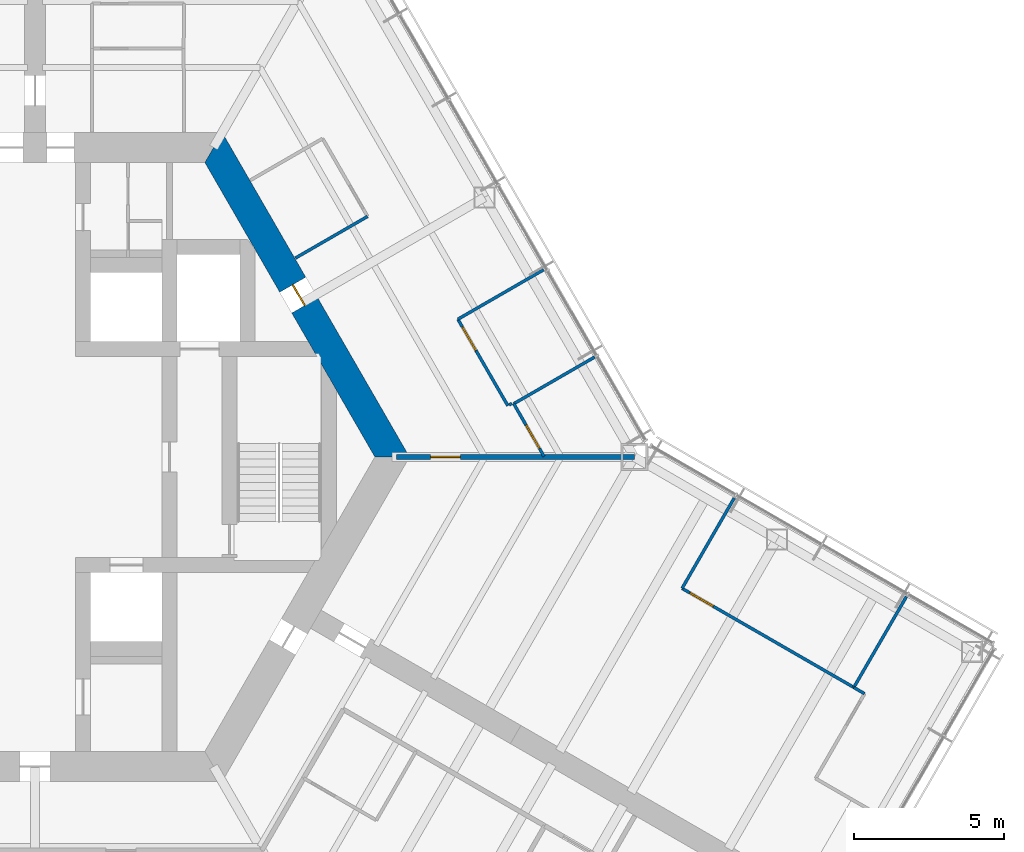
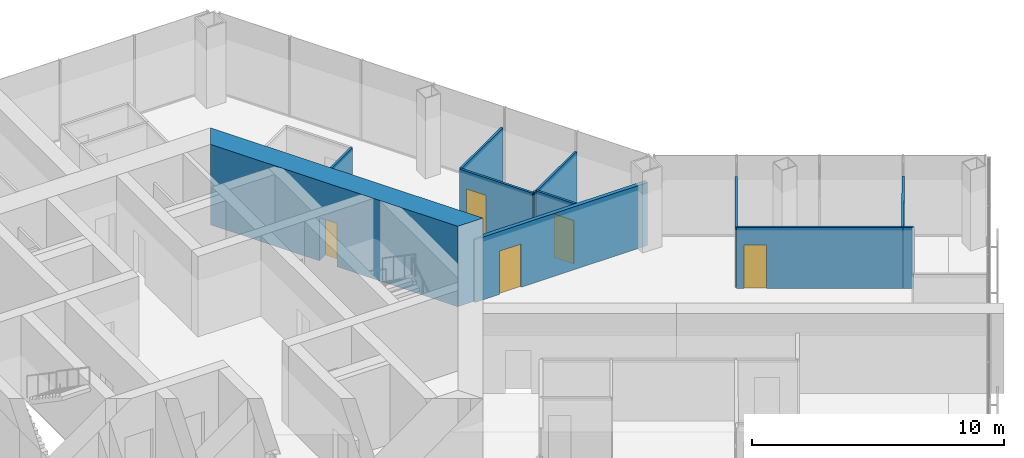
# One storey, part 14 of 18: 12 walls, 5 doors, 5 openings.
"""IFC4 building model written with IfcOpenShell, lengths in metres."""

from ifc_helpers import new_model, si_unit, direction, frame, frame_2d, origin, place, context, subcontext, project, spatial, polyline, rectangle, outline, extrude, material, layer, layer_set, type_object, element, fill, save


model = new_model("IFC4")

# Units and contexts
model_context = context("Model", 3, precision=1e-05, world=origin(), true_north=direction((0.0, 1.0)))
body_context = subcontext(model_context, "Body", "Model", "MODEL_VIEW")
ifc_project = project(units=[si_unit("LENGTHUNIT", "METRE"), si_unit("AREAUNIT", "SQUARE_METRE"), si_unit("VOLUMEUNIT", "CUBIC_METRE"), si_unit("PLANEANGLEUNIT", "RADIAN"), si_unit("MASSUNIT", "GRAM", prefix="KILO")], contexts=[model_context])

# Site, building, storey
site_placement = place(None, origin())
site = spatial("IfcSite", under=ifc_project, at=site_placement, CompositionType="ELEMENT")
building_placement = place(site_placement, origin())
building = spatial("IfcBuilding", under=site, at=building_placement, Name="Kasaneha Research Tower", CompositionType="ELEMENT")
storey_placement = place(building_placement, frame((0.0, 0.0, 133.10009765625)))
storey = spatial("IfcBuildingStorey", under=building, at=storey_placement, Name="L33", CompositionType="ELEMENT", Elevation=133.10009765625)

# Wall, opening, door
ifc_material_1 = material(Name="Concrete Fc70", Category="concrete")
ifc_layer_1 = layer(ifc_material_1, 1.0)
ifc_layer_set_1 = layer_set([ifc_layer_1], Name="Core wall 1000 Fc70")
wall_type_1 = type_object("IfcWallType", Name="Core wall 1000 Fc70", PredefinedType="SHEAR", material=ifc_layer_set_1)
wall_1_placement = place(storey_placement, frame((11.92236328125, 0.0, 0.0), z_axis=(0.0, 0.0, 1.0), x_axis=(-0.500004296715, 0.866022923061, 0.0)))
wall_1 = element("IfcWall", 1, at=wall_1_placement, inside=storey, type_object=wall_type_1, Name="Core wall 030 L33", PredefinedType="SHEAR", context=body_context, shape_type="SweptSolid", body=[
    extrude(outline(polyline([(-0.28857421875, -0.5), (5.83544921875, -0.5), (6.635498046875, -0.5), (12.2109375, -0.5), (11.6337890625, 0.5), (6.635498046875, 0.5), (5.83544921875, 0.5), (0.28857421875, 0.5), (-0.28857421875, -0.5)])), origin(), (0.0, 0.0, 1.0), 3.89990234375),
])
opening_1_placement = place(wall_1_placement, frame((5.83544921875, 0.0, 0.0)))
opening_1 = element("IfcOpeningElement", 2, at=opening_1_placement, cuts=wall_1, Name="Opening L33-D04", PredefinedType="OPENING", context=body_context, shape_type="SweptSolid", body=[
    extrude(rectangle(XDim=0.800048828125, YDim=2.10009765625, at=frame_2d((0.39990234375, 1.050048828125))), frame((0.0, 0.510009765625, 0.0), z_axis=(0.0, -1.0, 0.0), x_axis=(1.0, 0.0, 0.0)), (0.0, 0.0, 1.0), 1.02001953125),
])
ifc_material_2 = material(Name="Steel", Category="steel")
door_type_1 = type_object("IfcDoorType", Name="Riser access door FD60 800x2100", OperationType="NOTDEFINED", PredefinedType="DOOR", material=ifc_material_2)
door_1_placement = place(opening_1_placement, origin())
door_1 = element("IfcDoor", 3, at=door_1_placement, inside=storey, type_object=door_type_1, Name="Pipe riser door L33-D04", OperationType="SINGLE_SWING_RIGHT", OverallHeight=2.10009765625, OverallWidth=0.800048828125, PredefinedType="DOOR", context=body_context, shape_type="SweptSolid", body=[
    extrude(rectangle(XDim=0.800048828125, YDim=2.10009765625, at=frame_2d((0.39990234375, 1.050048828125))), frame((0.0, 0.02490234375, 0.0), z_axis=(0.0, -1.0, 0.0), x_axis=(1.0, 0.0, 0.0)), (0.0, 0.0, 1.0), 0.050048828125),
])
fill(opening_1, door_1)

# Walls
ifc_material_3 = material(Name="Gypsum board on steel studs, one layer each side", Category="steel")
ifc_layer_2 = layer(ifc_material_3, 0.10009765625)
ifc_layer_set_2 = layer_set([ifc_layer_2], Name="Office partition 100")
wall_type_2 = type_object("IfcWallType", Name="Office partition 100", PredefinedType="PARTITIONING", material=ifc_layer_set_2)
wall_2_placement = place(storey_placement, frame((11.099609375, 8.02490234375, 0.0), z_axis=(0.0, 0.0, 1.0), x_axis=(-0.866056901187, -0.49994544093, 0.0)))
element("IfcWall", 4, at=wall_2_placement, inside=storey, type_object=wall_type_2, Name="Office partition FAE09 L33", PredefinedType="PARTITIONING", context=body_context, shape_type="SweptSolid", body=[
    extrude(rectangle(XDim=2.780029296875, YDim=0.10009765625, at=frame_2d((1.39013671875, 0.0))), origin(), (0.0, 0.0, 1.0), 2.949951171875),
])
wall_3_placement = place(storey_placement, frame((18.679443359375, 3.33544921875, 0.0), z_axis=(0.0, 0.0, 1.0), x_axis=(-0.866045268016, -0.499965592563, 0.0)))
element("IfcWall", 5, at=wall_3_placement, inside=storey, type_object=wall_type_2, Name="Office partition FAE10 L33", PredefinedType="PARTITIONING", context=body_context, shape_type="SweptSolid", body=[
    extrude(rectangle(XDim=3.129150390625, YDim=0.10009765625, at=frame_2d((1.564453125, 0.0))), origin(), (0.0, 0.0, 1.0), 2.949951171875),
])
wall_4_placement = place(storey_placement, frame((14.11376953125, 4.59521484375, 0.0), z_axis=(0.0, 0.0, 1.0), x_axis=(0.866020751647, 0.500008057651, 0.0)))
element("IfcWall", 6, at=wall_4_placement, inside=storey, type_object=wall_type_2, Name="Office partition FAE11 L33", PredefinedType="PARTITIONING", context=body_context, shape_type="SweptSolid", body=[
    extrude(rectangle(XDim=3.30517578125, YDim=0.10009765625, at=frame_2d((1.652587890625, 0.0))), origin(), (0.0, 0.0, 1.0), 2.949951171875),
])

# Wall, opening, door
wall_5_placement = place(storey_placement, frame((15.779296875, 1.71044921875, 0.0), z_axis=(0.0, 0.0, 1.0), x_axis=(-0.500001606164, 0.866024476463, 0.0)))
wall_5 = element("IfcWall", 7, at=wall_5_placement, inside=storey, type_object=wall_type_2, Name="Office partition FAE12 L33", PredefinedType="PARTITIONING", context=body_context, shape_type="SweptSolid", body=[
    extrude(rectangle(XDim=3.3310546875, YDim=0.10009765625, at=frame_2d((1.66552734375, 0.0))), origin(), (0.0, 0.0, 1.0), 2.949951171875),
])
opening_2_placement = place(wall_5_placement, frame((2.131103515625, 0.0, 0.0)))
opening_2 = element("IfcOpeningElement", 8, at=opening_2_placement, cuts=wall_5, Name="Opening L33-D30", PredefinedType="OPENING", context=body_context, shape_type="SweptSolid", body=[
    extrude(rectangle(XDim=0.89990234375, YDim=2.10009765625, at=frame_2d((0.449951171875, 1.050048828125))), frame((0.0, 0.06005859375, 0.0), z_axis=(0.0, -1.0, 0.0), x_axis=(1.0, 0.0, 0.0)), (0.0, 0.0, 1.0), 0.1201171875),
])
ifc_material_4 = material(Name="Timber veneer", Category="wood")
door_type_2 = type_object("IfcDoorType", Name="Office door 900x2100", OperationType="SINGLE_SWING_LEFT", PredefinedType="DOOR", material=ifc_material_4)
door_2_placement = place(opening_2_placement, origin())
door_2 = element("IfcDoor", 9, at=door_2_placement, inside=storey, type_object=door_type_2, Name="Reception room door L33-D30", OperationType="SINGLE_SWING_RIGHT", OverallHeight=2.10009765625, OverallWidth=0.89990234375, PredefinedType="DOOR", context=body_context, shape_type="SweptSolid", body=[
    extrude(rectangle(XDim=0.89990234375, YDim=2.10009765625, at=frame_2d((0.449951171875, 1.050048828125))), frame((0.0, 0.02490234375, 0.0), z_axis=(0.0, -1.0, 0.0), x_axis=(1.0, 0.0, 0.0)), (0.0, 0.0, 1.0), 0.050048828125),
])
fill(opening_2, door_2)

wall_6_placement = place(storey_placement, frame((16.986083984375, 0.02001953125, 0.0), z_axis=(0.0, 0.0, 1.0), x_axis=(-0.498033790128, 0.86715762344, 0.0)))
wall_6 = element("IfcWall", 10, at=wall_6_placement, inside=storey, type_object=wall_type_2, Name="Office partition FAE13 L33", PredefinedType="PARTITIONING", context=body_context, shape_type="SweptSolid", body=[
    extrude(rectangle(XDim=2.024658203125, YDim=0.10009765625, at=frame_2d((1.01220703125, 0.0))), origin(), (0.0, 0.0, 1.0), 2.949951171875),
])
opening_3_placement = place(wall_6_placement, frame((0.300048828125, 0.0, 0.0)))
opening_3 = element("IfcOpeningElement", 11, at=opening_3_placement, cuts=wall_6, Name="Opening L33-D31", PredefinedType="OPENING", context=body_context, shape_type="SweptSolid", body=[
    extrude(rectangle(XDim=0.89990234375, YDim=2.10009765625, at=frame_2d((0.449951171875, 1.050048828125))), frame((0.0, 0.06005859375, 0.0), z_axis=(0.0, -1.0, 0.0), x_axis=(1.0, 0.0, 0.0)), (0.0, 0.0, 1.0), 0.1201171875),
])
door_3_placement = place(opening_3_placement, origin())
door_3 = element("IfcDoor", 12, at=door_3_placement, inside=storey, type_object=door_type_2, Name="Project room door L33-D31", OperationType="SINGLE_SWING_LEFT", OverallHeight=2.10009765625, OverallWidth=0.89990234375, PredefinedType="DOOR", context=body_context, shape_type="SweptSolid", body=[
    extrude(rectangle(XDim=0.89990234375, YDim=2.10009765625, at=frame_2d((0.449951171875, 1.050048828125))), frame((0.0, 0.02490234375, 0.0), z_axis=(0.0, -1.0, 0.0), x_axis=(1.0, 0.0, 0.0)), (0.0, 0.0, 1.0), 0.050048828125),
])
fill(opening_3, door_3)

# Walls
wall_7_placement = place(storey_placement, frame((29.077392578125, -4.65771484375, 0.0), z_axis=(0.0, 0.0, 1.0), x_axis=(-0.501313567819, -0.865265685625, 0.0)))
element("IfcWall", 13, at=wall_7_placement, inside=storey, type_object=wall_type_2, Name="Office partition FCE01 L33", PredefinedType="PARTITIONING", context=body_context, shape_type="SweptSolid", body=[
    extrude(rectangle(XDim=3.5048828125, YDim=0.10009765625, at=frame_2d((1.75244140625, 0.0))), origin(), (0.0, 0.0, 1.0), 2.949951171875),
])
wall_8_placement = place(storey_placement, frame((21.59228515625, -4.38330078125, 0.0), z_axis=(0.0, 0.0, 1.0), x_axis=(0.500009906705, 0.86601968407, 0.0)))
element("IfcWall", 14, at=wall_8_placement, inside=storey, type_object=wall_type_2, Name="Office partition FCE02 L33", PredefinedType="PARTITIONING", context=body_context, shape_type="SweptSolid", body=[
    extrude(rectangle(XDim=3.47998046875, YDim=0.10009765625, at=frame_2d((1.739990234375, 0.0))), origin(), (0.0, 0.0, 1.0), 2.949951171875),
])

# Wall, opening, door
wall_9_placement = place(storey_placement, frame((27.326904296875, -7.689697265625, 0.0), z_axis=(0.0, 0.0, 1.0), x_axis=(-0.866318796728, 0.499491483847, 0.0)))
wall_9 = element("IfcWall", 15, at=wall_9_placement, inside=storey, type_object=wall_type_2, Name="Office partition FCE03 L33", PredefinedType="PARTITIONING", context=body_context, shape_type="SweptSolid", body=[
    extrude(rectangle(XDim=6.61962890625, YDim=0.10009765625, at=frame_2d((3.309814453125, 0.0))), origin(), (0.0, 0.0, 1.0), 2.949951171875),
])
opening_4_placement = place(wall_9_placement, frame((5.419677734375, 0.0, 0.0)))
opening_4 = element("IfcOpeningElement", 16, at=opening_4_placement, cuts=wall_9, Name="Opening L33-D43", PredefinedType="OPENING", context=body_context, shape_type="SweptSolid", body=[
    extrude(rectangle(XDim=0.89990234375, YDim=2.10009765625, at=frame_2d((0.449951171875, 1.050048828125))), frame((0.0, 0.06005859375, 0.0), z_axis=(0.0, -1.0, 0.0), x_axis=(1.0, 0.0, 0.0)), (0.0, 0.0, 1.0), 0.1201171875),
])
door_4_placement = place(opening_4_placement, origin())
door_4 = element("IfcDoor", 17, at=door_4_placement, inside=storey, type_object=door_type_2, Name="Reading room door L33-D43", OperationType="SINGLE_SWING_RIGHT", OverallHeight=2.10009765625, OverallWidth=0.89990234375, PredefinedType="DOOR", context=body_context, shape_type="SweptSolid", body=[
    extrude(rectangle(XDim=0.89990234375, YDim=2.10009765625, at=frame_2d((0.449951171875, 1.050048828125))), frame((0.0, 0.02490234375, 0.0), z_axis=(0.0, -1.0, 0.0), x_axis=(1.0, 0.0, 0.0)), (0.0, 0.0, 1.0), 0.050048828125),
])
fill(opening_4, door_4)

# Walls
wall_10_placement = place(storey_placement, frame((27.678466796875, -7.8984375, 0.0), z_axis=(0.0, 0.0, 1.0), x_axis=(-0.859748322004, 0.510717948394, 0.0)))
element("IfcWall", 18, at=wall_10_placement, inside=storey, type_object=wall_type_2, Name="Office partition FCE05 L33", PredefinedType="PARTITIONING", context=body_context, shape_type="SweptSolid", body=[
    extrude(rectangle(XDim=0.4091796875, YDim=0.10009765625, at=frame_2d((0.20458984375, 0.0))), origin(), (0.0, 0.0, 1.0), 2.949951171875),
])
wall_11_placement = place(storey_placement, frame((15.82275390625, 1.7353515625, 0.0), z_axis=(0.0, 0.0, 1.0), x_axis=(0.867234405398, 0.497900076415, 0.0)))
element("IfcWall", 19, at=wall_11_placement, inside=storey, type_object=wall_type_2, Name="Office partition closer PT5 L33", PredefinedType="PARTITIONING", context=body_context, shape_type="SweptSolid", body=[
    extrude(rectangle(XDim=0.1044921875, YDim=0.10009765625, at=frame_2d((0.05224609375, 0.0))), origin(), (0.0, 0.0, 1.0), 2.949951171875),
])

# Wall, opening, door
ifc_material_5 = material(Name="Gypsum board on steel studs, two layers each side", Category="steel")
ifc_layer_3 = layer(ifc_material_5, 0.175048828125)
ifc_layer_set_3 = layer_set([ifc_layer_3], Name="Tenancy fire partition 175")
wall_type_3 = type_object("IfcWallType", Name="Tenancy fire partition 175", PredefinedType="PARTITIONING", material=ifc_layer_set_3)
wall_12_placement = place(storey_placement, frame((12.069580078125, 0.0, 0.0), z_axis=(0.0, 0.0, 1.0), x_axis=(1.0, 0.0, 0.0)))
wall_12 = element("IfcWall", 20, at=wall_12_placement, inside=storey, type_object=wall_type_3, Name="Tenancy fire partition T000 L33", PredefinedType="PARTITIONING", context=body_context, shape_type="SweptSolid", body=[
    extrude(rectangle(XDim=7.930419921875, YDim=0.175048828125, at=frame_2d((3.96533203125, 0.0))), origin(), (0.0, 0.0, 1.0), 3.0498046875),
])
opening_5_placement = place(wall_12_placement, frame((1.1298828125, 0.0, 0.0)))
opening_5 = element("IfcOpeningElement", 21, at=opening_5_placement, cuts=wall_12, Name="Opening L33-D24", PredefinedType="OPENING", context=body_context, shape_type="SweptSolid", body=[
    extrude(rectangle(XDim=1.0, YDim=2.10009765625, at=frame_2d((0.5, 1.050048828125))), frame((0.0, 0.09765625, 0.0), z_axis=(0.0, -1.0, 0.0), x_axis=(1.0, 0.0, 0.0)), (0.0, 0.0, 1.0), 0.195068359375),
])
ifc_material_6 = material(Name="Steel", Category="steel")
door_type_3 = type_object("IfcDoorType", Name="Suite entrance door FD60 1000x2100", OperationType="NOTDEFINED", PredefinedType="DOOR", material=ifc_material_6)
door_5_placement = place(opening_5_placement, origin())
door_5 = element("IfcDoor", 22, at=door_5_placement, inside=storey, type_object=door_type_3, Name="Connecting door L33-D24", OperationType="SINGLE_SWING_LEFT", OverallHeight=2.10009765625, OverallWidth=1.0, PredefinedType="DOOR", context=body_context, shape_type="SweptSolid", body=[
    extrude(rectangle(XDim=1.0, YDim=2.10009765625, at=frame_2d((0.5, 1.050048828125))), frame((0.0, 0.02490234375, 0.0), z_axis=(0.0, -1.0, 0.0), x_axis=(1.0, 0.0, 0.0)), (0.0, 0.0, 1.0), 0.050048828125),
])
fill(opening_5, door_5)

save(model, "model.ifc")
